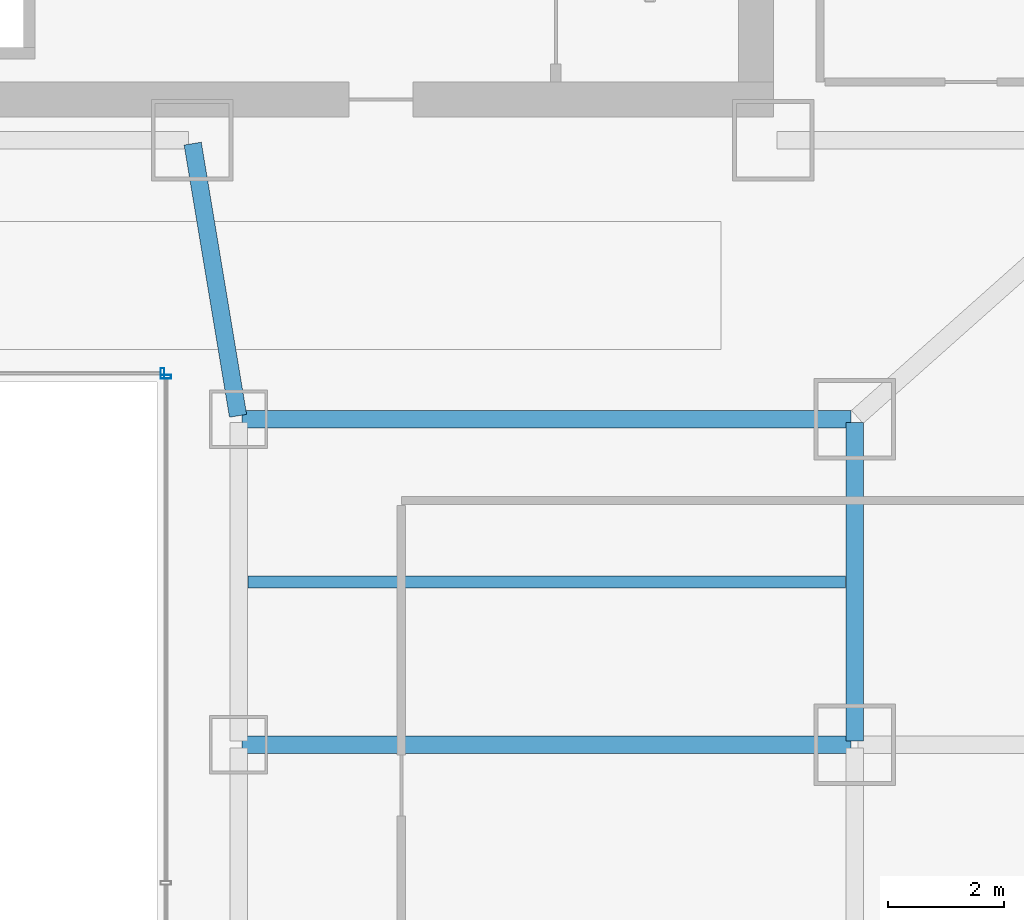
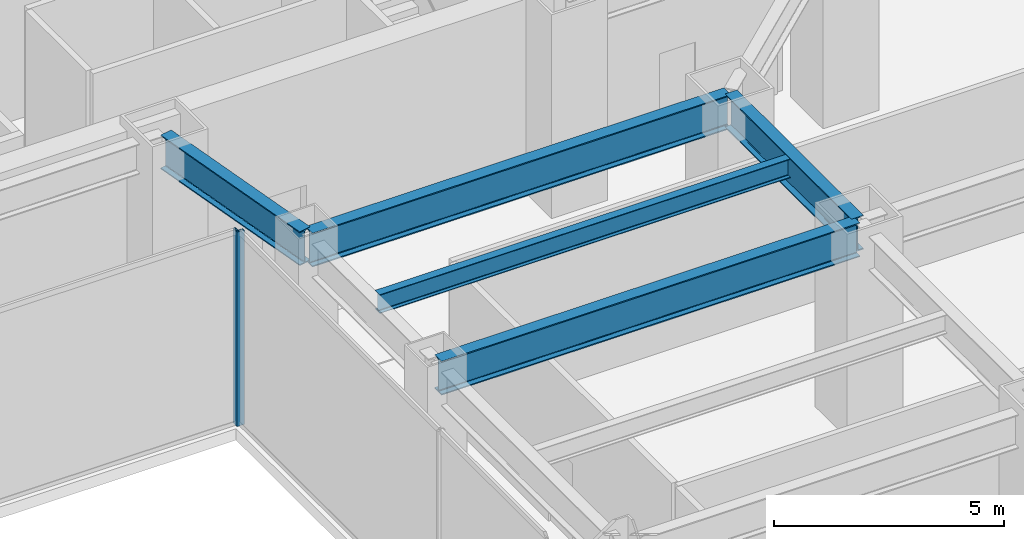
# One storey, part 26 of 53: 5 beams, 2 members, 2 elements without a shape of their own.
"""IFC4 building model written with IfcOpenShell, lengths in metres."""

from ifc_helpers import new_model, si_unit, direction, frame, origin, origin_2d, place, context, subcontext, project, spatial, hollow_rectangle, i_section, extrude, material, material_profile, profile_set, type_object, element, aggregate, save


model = new_model("IFC4")

# Units and contexts
model_context = context("Model", 3, precision=1e-05, world=origin(), true_north=direction((0.0, 1.0)))
body_context = subcontext(model_context, "Body", "Model", "MODEL_VIEW")
ifc_project = project(units=[si_unit("LENGTHUNIT", "METRE"), si_unit("AREAUNIT", "SQUARE_METRE"), si_unit("VOLUMEUNIT", "CUBIC_METRE"), si_unit("PLANEANGLEUNIT", "RADIAN"), si_unit("MASSUNIT", "GRAM", prefix="KILO")], contexts=[model_context])

# Site, building, storey
site_placement = place(None, origin())
site = spatial("IfcSite", under=ifc_project, at=site_placement, CompositionType="ELEMENT")
building_placement = place(site_placement, origin())
building = spatial("IfcBuilding", under=site, at=building_placement, Name="Saevonmaru Cultural Tower", CompositionType="ELEMENT")
storey_placement = place(building_placement, frame((0.0, 0.0, 22.199951171875)))
storey = spatial("IfcBuildingStorey", under=building, at=storey_placement, Name="L04", CompositionType="ELEMENT", Elevation=22.199951171875)

# Beams
ifc_material_1 = material(Name="Steel SM420", Category="steel")
ifc_material_profile_1 = material_profile(ifc_material_1, i_section(OverallWidth=0.300048828125, OverallDepth=0.89990234375, WebThickness=0.01611328125, FlangeThickness=0.028076171875, FilletRadius=0.028076171875, at=origin_2d()), Name="H-900x300x16x28")
ifc_profile_set_1 = profile_set([ifc_material_profile_1], Name="Steel SM420")
beam_type_1 = type_object("IfcBeamType", Name="BM-G-H900", PredefinedType="BEAM", material=ifc_profile_set_1)
beam_1_placement = place(storey_placement, frame((37.190185546875, 37.6591796875, 4.699951171875), z_axis=(-0.164398987305, 0.986393923832, 0.0), x_axis=(-0.986393923832, -0.164398987305, 0.0)))
element("IfcBeam", 1, at=beam_1_placement, inside=storey, type_object=beam_type_1, Name="L04 Podium Girder NS3-6", PredefinedType="BEAM", context=body_context, shape_type="SweptSolid", body=[
    extrude(i_section(OverallWidth=0.300048828125, OverallDepth=0.89990234375, WebThickness=0.01611328125, FlangeThickness=0.028076171875, FilletRadius=0.028076171875, at=origin_2d()), origin(), (0.0, 0.0, 1.0), 4.746337890625),
])
beam_2_placement = place(storey_placement, frame((47.800048828125, 32.06005859375, 4.699951171875), z_axis=(0.0, 1.0, 0.0), x_axis=(-1.0, 0.0, 0.0)))
element("IfcBeam", 2, at=beam_2_placement, inside=storey, type_object=beam_type_1, Name="L04 Podium Girder NS4-5", PredefinedType="BEAM", context=body_context, shape_type="SweptSolid", body=[
    extrude(i_section(OverallWidth=0.300048828125, OverallDepth=0.89990234375, WebThickness=0.01611328125, FlangeThickness=0.028076171875, FilletRadius=0.028076171875, at=origin_2d()), origin(), (0.0, 0.0, 1.0), 5.47998046875),
])
for number, where, z_axis, x_axis, name in (
    (3, (37.260009765625, 32.0, 4.699951171875), (1.0, 0.0, 0.0), (0.0, 1.0, 0.0), "L04 Gallery Girder E-4"),
    (4, (37.260009765625, 37.60009765625, 4.699951171875), (1.0, 0.0, 0.0), (0.0, 1.0, 0.0), "L04 Gallery Girder E-5"),
):
    element("IfcBeam", number, at=place(storey_placement, frame(where, z_axis=z_axis, x_axis=x_axis)), inside=storey, type_object=beam_type_1, Name=name, PredefinedType="BEAM", context=body_context, shape_type="SweptSolid", body=[
        extrude(i_section(OverallWidth=0.300048828125, OverallDepth=0.89990234375, WebThickness=0.01611328125, FlangeThickness=0.028076171875, FilletRadius=0.028076171875, at=origin_2d()), origin(), (0.0, 0.0, 1.0), 10.47998046875),
    ])
ifc_material_2 = material(Name="Steel SM355", Category="steel")
ifc_material_profile_2 = material_profile(ifc_material_2, i_section(OverallWidth=0.199951171875, OverallDepth=0.5, WebThickness=0.010009765625, FlangeThickness=0.01611328125, FilletRadius=0.02001953125, at=origin_2d()), Name="H-500x200x10x16")
ifc_profile_set_2 = profile_set([ifc_material_profile_2], Name="Steel SM355")
beam_type_2 = type_object("IfcBeamType", Name="BM-J-H500", PredefinedType="JOIST", material=ifc_profile_set_2)
beam_3_placement = place(storey_placement, frame((37.35791015625, 34.800048828125, 4.900146484375), z_axis=(1.0, 0.0, 0.0), x_axis=(0.0, 1.0, 0.0)))
element("IfcBeam", 5, at=beam_3_placement, inside=storey, type_object=beam_type_2, Name="L04 Secondary Floor Joist JE-4", PredefinedType="JOIST", context=body_context, shape_type="SweptSolid", body=[
    extrude(i_section(OverallWidth=0.199951171875, OverallDepth=0.5, WebThickness=0.010009765625, FlangeThickness=0.01611328125, FilletRadius=0.02001953125, at=origin_2d()), origin(), (0.0, 0.0, 1.0), 10.2841796875),
])

# Curtain wall, member
ifc_material_3 = material(Name="Satin Bronze Anodised Aluminium", Category="aluminium")
curtain_wall_type = type_object("IfcCurtainWallType", Name="CW-ATR-GLZ", PredefinedType="NOTDEFINED", material=ifc_material_3)
curtain_wall_1_placement = place(storey_placement, origin())
curtain_wall_1 = element("IfcCurtainWall", 6, at=curtain_wall_1_placement, inside=storey, type_object=curtain_wall_type, Name="L04 Vertical Atrium Glazed Smoke Screen 2", PredefinedType="NOTDEFINED")
ifc_material_profile_3 = material_profile(ifc_material_3, hollow_rectangle(XDim=0.06494140625, YDim=0.179931640625, WallThickness=0.00390625, at=origin_2d()), Name="ALU-MULL-180x65x4")
ifc_profile_set_3 = profile_set([ifc_material_profile_3], Name="Satin Bronze Anodised Aluminium")
member_type = type_object("IfcMemberType", Name="ML-CW-INT-180x65", PredefinedType="MULLION", material=ifc_profile_set_3)
member_1_placement = place(storey_placement, frame((35.949951171875, 38.330078125, 0.0), z_axis=(0.0, 0.0, 1.0), x_axis=(0.0, 1.0, 0.0)))
member_1 = element("IfcMember", 7, at=member_1_placement, type_object=member_type, Name="CW-ATR-L04-2 mullion 3", PredefinedType="MULLION", context=body_context, shape_type="SweptSolid", body=[
    extrude(hollow_rectangle(XDim=0.06494140625, YDim=0.179931640625, WallThickness=0.00390625, at=origin_2d()), origin(), (0.0, 0.0, 1.0), 5.150146484375),
])
aggregate(curtain_wall_1, [member_1])

curtain_wall_2_placement = place(storey_placement, origin())
curtain_wall_2 = element("IfcCurtainWall", 8, at=curtain_wall_2_placement, inside=storey, type_object=curtain_wall_type, Name="L04 Vertical Atrium Glazed Smoke Screen 3", PredefinedType="NOTDEFINED")
member_2_placement = place(storey_placement, frame((35.889892578125, 38.389892578125, 0.0), z_axis=(0.0, 0.0, 1.0), x_axis=(-1.0, 0.0, 0.0)))
member_2 = element("IfcMember", 9, at=member_2_placement, type_object=member_type, Name="CW-ATR-L04-3 mullion 1", PredefinedType="MULLION", context=body_context, shape_type="SweptSolid", body=[
    extrude(hollow_rectangle(XDim=0.06494140625, YDim=0.179931640625, WallThickness=0.00390625, at=origin_2d()), origin(), (0.0, 0.0, 1.0), 5.150146484375),
])
aggregate(curtain_wall_2, [member_2])

save(model, "model.ifc")
